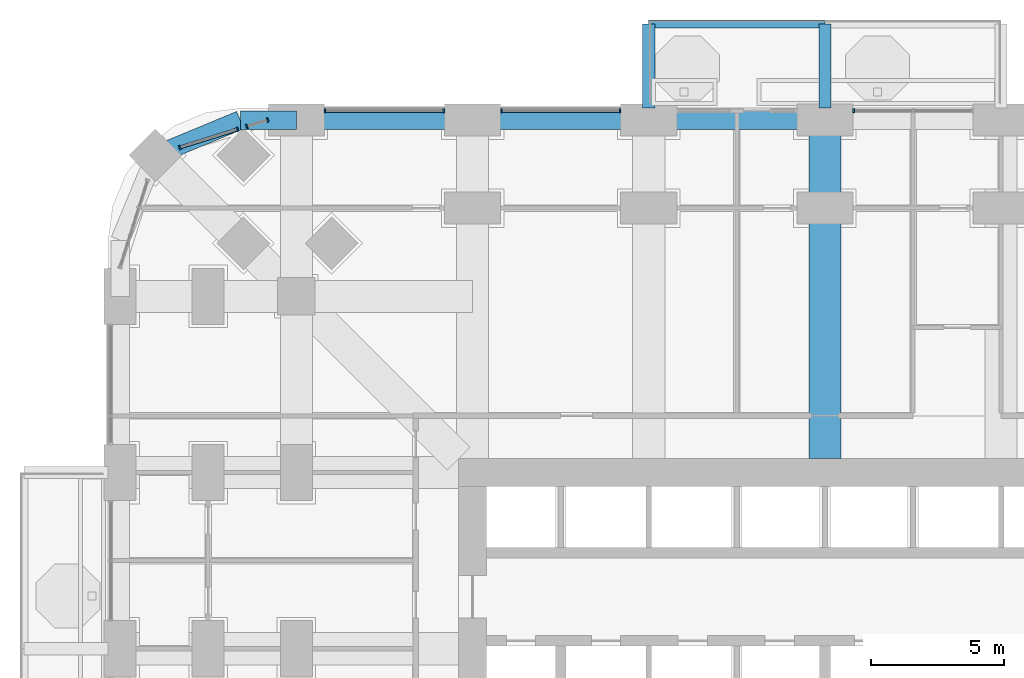
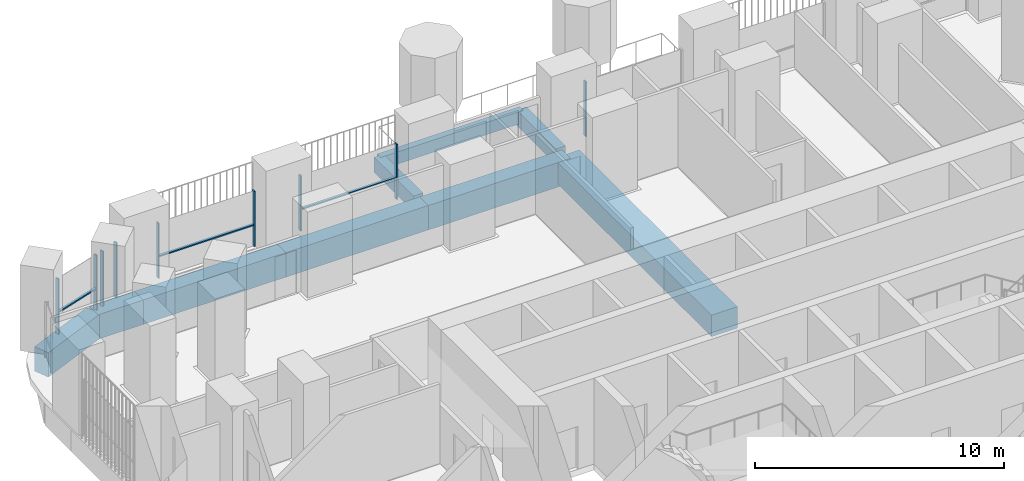
# One storey, part 7 of 26: 12 members, 9 beams, 5 elements without a shape of their own.
"""IFC4 building model written with IfcOpenShell, lengths in metres."""

from ifc_helpers import new_model, si_unit, direction, frame, origin, origin_2d, place, context, subcontext, project, spatial, rectangle, extrude, material, material_profile, profile_set, type_object, element, aggregate, save


model = new_model("IFC4")

# Units and contexts
model_context = context("Model", 3, precision=1e-05, world=origin(), true_north=direction((0.0, 1.0)))
body_context = subcontext(model_context, "Body", "Model", "MODEL_VIEW")
ifc_project = project(units=[si_unit("LENGTHUNIT", "METRE"), si_unit("AREAUNIT", "SQUARE_METRE"), si_unit("VOLUMEUNIT", "CUBIC_METRE"), si_unit("PLANEANGLEUNIT", "RADIAN"), si_unit("MASSUNIT", "GRAM", prefix="KILO")], contexts=[model_context])

# Site, building, storey
site_placement = place(None, origin())
site = spatial("IfcSite", under=ifc_project, at=site_placement, CompositionType="ELEMENT")
building_placement = place(site_placement, origin())
building = spatial("IfcBuilding", under=site, at=building_placement, Name="Cobogo Forest Laboratory Tower", CompositionType="ELEMENT")
storey_placement = place(building_placement, frame((0.0, 0.0, 33.89990234375)))
storey = spatial("IfcBuildingStorey", under=building, at=storey_placement, Name="L07", CompositionType="ELEMENT", Elevation=33.89990234375)

# Beams
ifc_material_1 = material(Name="Concrete HA-40 (C40/50)", Category="concrete")
ifc_material_profile_1 = material_profile(ifc_material_1, rectangle(XDim=0.449951171875, YDim=0.75, at=origin_2d()), Name="RC 450x750")
ifc_profile_set_1 = profile_set([ifc_material_profile_1], Name="Concrete HA-40 (C40/50)")
beam_type_1 = type_object("IfcBeamType", Name="Balcony cantilever beam 450x750", PredefinedType="BEAM", material=ifc_profile_set_1)
for number, where, z_axis, x_axis, name in (
    (1, (19.800048828125, 46.64990234375, -0.625), (0.0, 1.0, 0.0), (-1.0, 0.0, 0.0), "CB1 BAL-N1-C1 L07"),
    (2, (26.39990234375, 46.64990234375, -0.625), (0.0, 1.0, 0.0), (-1.0, 0.0, 0.0), "CB1 BAL-N1-C2 L07"),
):
    element("IfcBeam", number, at=place(storey_placement, frame(where, z_axis=z_axis, x_axis=x_axis)), inside=storey, type_object=beam_type_1, Name=name, PredefinedType="BEAM", context=body_context, shape_type="SweptSolid", body=[
        extrude(rectangle(XDim=0.449951171875, YDim=0.75, at=origin_2d()), origin(), (0.0, 0.0, 1.0), 3.150146484375),
    ])
ifc_material_profile_2 = material_profile(ifc_material_1, rectangle(XDim=0.300048828125, YDim=0.60009765625, at=origin_2d()), Name="RC 300x600")
ifc_profile_set_2 = profile_set([ifc_material_profile_2], Name="Concrete HA-40 (C40/50)")
beam_type_2 = type_object("IfcBeamType", Name="Balcony edge beam 300x600", PredefinedType="BEAM", material=ifc_profile_set_2)
beam_1_placement = place(storey_placement, frame((19.800048828125, 49.800048828125, -0.5498046875), z_axis=(1.0, 0.0, 0.0), x_axis=(0.0, 1.0, 0.0)))
element("IfcBeam", 3, at=beam_1_placement, inside=storey, type_object=beam_type_2, Name="BB1 BAL-N1-T1 L07", PredefinedType="BEAM", context=body_context, shape_type="SweptSolid", body=[
    extrude(rectangle(XDim=0.300048828125, YDim=0.60009765625, at=origin_2d()), origin(), (0.0, 0.0, 1.0), 6.599853515625),
])
ifc_material_profile_3 = material_profile(ifc_material_1, rectangle(XDim=1.199951171875, YDim=1.050048828125, at=origin_2d()), Name="RC 1200x1050")
ifc_profile_set_3 = profile_set([ifc_material_profile_3], Name="Concrete HA-40 (C40/50)")
beam_type_3 = type_object("IfcBeamType", Name="Laboratory floor wide beam 1200x1050", PredefinedType="BEAM", material=ifc_profile_set_3)
beam_2_placement = place(storey_placement, frame((26.39990234375, 33.52490234375, -0.824951171875), z_axis=(0.0, 1.0, 0.0), x_axis=(-1.0, 0.0, 0.0)))
element("IfcBeam", 4, at=beam_2_placement, inside=storey, type_object=beam_type_3, Name="RB1 R-5-N L07", PredefinedType="BEAM", context=body_context, shape_type="SweptSolid", body=[
    extrude(rectangle(XDim=1.199951171875, YDim=1.050048828125, at=origin_2d()), origin(), (0.0, 0.0, 1.0), 12.675048828125),
])

# Curtain wall, member
ifc_material_2 = material(Name="Aluminium curtain wall", Category="aluminium")
curtain_wall_type = type_object("IfcCurtainWallType", Name="CW-1 unitised curtain wall, clear glazing, laboratory floors zones A and B", PredefinedType="USERDEFINED", material=ifc_material_2)
curtain_wall_1_placement = place(storey_placement, origin())
curtain_wall_1 = element("IfcCurtainWall", 5, at=curtain_wall_1_placement, inside=storey, type_object=curtain_wall_type, Name="Curtain wall 20 L07", ObjectType="UNITISED CURTAIN WALL", PredefinedType="USERDEFINED")
ifc_material_3 = material(Name="Aluminium mullion", Category="aluminium")
ifc_material_profile_4 = material_profile(ifc_material_3, rectangle(XDim=0.06005859375, YDim=0.159912109375, at=origin_2d()), Name="AL 60x160")
ifc_profile_set_4 = profile_set([ifc_material_profile_4], Name="Aluminium mullion")
member_type_1 = type_object("IfcMemberType", Name="MU-1 aluminium mullion 60x160", PredefinedType="MULLION", material=ifc_profile_set_4)
member_1_placement = place(storey_placement, frame((27.47998046875, 46.550048828125, 0.0), z_axis=(0.0, 0.0, 1.0), x_axis=(-1.0, 0.0, 0.0)))
member_1 = element("IfcMember", 6, at=member_1_placement, type_object=member_type_1, Name="CW-1 mullion 3", PredefinedType="MULLION", context=body_context, shape_type="SweptSolid", body=[
    extrude(rectangle(XDim=0.06005859375, YDim=0.159912109375, at=origin_2d()), origin(), (0.0, 0.0, 1.0), 2.7001953125),
])
aggregate(curtain_wall_1, [member_1])

# Curtain wall, members
curtain_wall_2_placement = place(storey_placement, origin())
curtain_wall_2 = element("IfcCurtainWall", 7, at=curtain_wall_2_placement, inside=storey, type_object=curtain_wall_type, Name="Curtain wall 22 L07", ObjectType="UNITISED CURTAIN WALL", PredefinedType="USERDEFINED")
member_2_placement = place(storey_placement, frame((18.719970703125, 46.550048828125, 0.0), z_axis=(0.0, 0.0, 1.0), x_axis=(-1.0, 0.0, 0.0)))
member_2 = element("IfcMember", 8, at=member_2_placement, type_object=member_type_1, Name="CW-1 mullion 1", PredefinedType="MULLION", context=body_context, shape_type="SweptSolid", body=[
    extrude(rectangle(XDim=0.06005859375, YDim=0.159912109375, at=origin_2d()), origin(), (0.0, 0.0, 1.0), 2.7001953125),
])
member_3_placement = place(storey_placement, frame((14.280029296875, 46.550048828125, 0.0), z_axis=(0.0, 0.0, 1.0), x_axis=(-1.0, 0.0, 0.0)))
member_3 = element("IfcMember", 9, at=member_3_placement, type_object=member_type_1, Name="CW-1 mullion 2", PredefinedType="MULLION", context=body_context, shape_type="SweptSolid", body=[
    extrude(rectangle(XDim=0.06005859375, YDim=0.159912109375, at=origin_2d()), origin(), (0.0, 0.0, 1.0), 2.7001953125),
])

curtain_wall_3_placement = place(storey_placement, origin())
curtain_wall_3 = element("IfcCurtainWall", 10, at=curtain_wall_3_placement, inside=storey, type_object=curtain_wall_type, Name="Curtain wall 23 L07", ObjectType="UNITISED CURTAIN WALL", PredefinedType="USERDEFINED")
member_4_placement = place(storey_placement, frame((12.1201171875, 46.550048828125, 0.0), z_axis=(0.0, 0.0, 1.0), x_axis=(-1.0, 0.0, 0.0)))
member_4 = element("IfcMember", 11, at=member_4_placement, type_object=member_type_1, Name="CW-1 mullion 1", PredefinedType="MULLION", context=body_context, shape_type="SweptSolid", body=[
    extrude(rectangle(XDim=0.06005859375, YDim=0.159912109375, at=origin_2d()), origin(), (0.0, 0.0, 1.0), 2.7001953125),
])
member_5_placement = place(storey_placement, frame((7.679931640625, 46.550048828125, 0.0), z_axis=(0.0, 0.0, 1.0), x_axis=(-1.0, 0.0, 0.0)))
member_5 = element("IfcMember", 12, at=member_5_placement, type_object=member_type_1, Name="CW-1 mullion 2", PredefinedType="MULLION", context=body_context, shape_type="SweptSolid", body=[
    extrude(rectangle(XDim=0.06005859375, YDim=0.159912109375, at=origin_2d()), origin(), (0.0, 0.0, 1.0), 2.7001953125),
])

curtain_wall_4_placement = place(storey_placement, origin())
curtain_wall_4 = element("IfcCurtainWall", 13, at=curtain_wall_4_placement, inside=storey, type_object=curtain_wall_type, Name="Curtain wall 24 L07", ObjectType="UNITISED CURTAIN WALL", PredefinedType="USERDEFINED")
member_6_placement = place(storey_placement, frame((5.521484375, 46.20947265625, 0.0), z_axis=(0.0, 0.0, 1.0), x_axis=(-0.953581504428, -0.301135043481, 0.0)))
member_6 = element("IfcMember", 14, at=member_6_placement, type_object=member_type_1, Name="CW-1 mullion 1", PredefinedType="MULLION", context=body_context, shape_type="SweptSolid", body=[
    extrude(rectangle(XDim=0.06005859375, YDim=0.159912109375, at=origin_2d()), origin(), (0.0, 0.0, 1.0), 2.7001953125),
])
member_7_placement = place(storey_placement, frame((4.74658203125, 45.96484375, 0.0), z_axis=(0.0, 0.0, 1.0), x_axis=(-0.953581504428, -0.301135043481, 0.0)))
member_7 = element("IfcMember", 15, at=member_7_placement, type_object=member_type_1, Name="CW-1 mullion 2", PredefinedType="MULLION", context=body_context, shape_type="SweptSolid", body=[
    extrude(rectangle(XDim=0.06005859375, YDim=0.159912109375, at=origin_2d()), origin(), (0.0, 0.0, 1.0), 2.7001953125),
])
aggregate(curtain_wall_4, [member_6, member_7])

curtain_wall_5_placement = place(storey_placement, origin())
curtain_wall_5 = element("IfcCurtainWall", 16, at=curtain_wall_5_placement, inside=storey, type_object=curtain_wall_type, Name="Curtain wall 25 L07", ObjectType="UNITISED CURTAIN WALL", PredefinedType="USERDEFINED")
member_8_placement = place(storey_placement, frame((4.39697265625, 45.854248046875, 0.0), z_axis=(0.0, 0.0, 1.0), x_axis=(-0.953581409645, -0.301135343623, 0.0)))
member_8 = element("IfcMember", 17, at=member_8_placement, type_object=member_type_1, Name="CW-1 mullion 1", PredefinedType="MULLION", context=body_context, shape_type="SweptSolid", body=[
    extrude(rectangle(XDim=0.06005859375, YDim=0.159912109375, at=origin_2d()), origin(), (0.0, 0.0, 1.0), 2.7001953125),
])
member_9_placement = place(storey_placement, frame((2.23876953125, 45.1728515625, 0.0), z_axis=(0.0, 0.0, 1.0), x_axis=(-0.953581409645, -0.301135343623, 0.0)))
member_9 = element("IfcMember", 18, at=member_9_placement, type_object=member_type_1, Name="CW-1 mullion 2", PredefinedType="MULLION", context=body_context, shape_type="SweptSolid", body=[
    extrude(rectangle(XDim=0.06005859375, YDim=0.159912109375, at=origin_2d()), origin(), (0.0, 0.0, 1.0), 2.7001953125),
])

# Beams
ifc_material_profile_5 = material_profile(ifc_material_1, rectangle(XDim=0.699951171875, YDim=1.199951171875, at=origin_2d()), Name="RC 700x1200")
ifc_profile_set_5 = profile_set([ifc_material_profile_5], Name="Concrete HA-40 (C40/50)")
beam_type_4 = type_object("IfcBeamType", Name="Perimeter edge beam 700x1200", PredefinedType="BEAM", material=ifc_profile_set_5)
beam_3_placement = place(storey_placement, frame((6.60009765625, 46.199951171875, -0.89990234375), z_axis=(1.0, 0.0, 0.0), x_axis=(0.0, 1.0, 0.0)))
element("IfcBeam", 19, at=beam_3_placement, inside=storey, type_object=beam_type_4, Name="EB1 E-N1 L07", PredefinedType="BEAM", context=body_context, shape_type="SweptSolid", body=[
    extrude(rectangle(XDim=0.699951171875, YDim=1.199951171875, at=origin_2d()), origin(), (0.0, 0.0, 1.0), 6.599853515625),
])
beam_4_placement = place(storey_placement, frame((13.199951171875, 46.199951171875, -0.89990234375), z_axis=(1.0, 0.0, 0.0), x_axis=(0.0, 1.0, 0.0)))
element("IfcBeam", 20, at=beam_4_placement, inside=storey, type_object=beam_type_4, Name="EB1 E-N2 L07", PredefinedType="BEAM", context=body_context, shape_type="SweptSolid", body=[
    extrude(rectangle(XDim=0.699951171875, YDim=1.199951171875, at=origin_2d()), origin(), (0.0, 0.0, 1.0), 6.60009765625),
])
beam_5_placement = place(storey_placement, frame((19.800048828125, 46.199951171875, -0.89990234375), z_axis=(1.0, 0.0, 0.0), x_axis=(0.0, 1.0, 0.0)))
element("IfcBeam", 21, at=beam_5_placement, inside=storey, type_object=beam_type_4, Name="EB1 E-N3 L07", PredefinedType="BEAM", context=body_context, shape_type="SweptSolid", body=[
    extrude(rectangle(XDim=0.699951171875, YDim=1.199951171875, at=origin_2d()), origin(), (0.0, 0.0, 1.0), 6.599853515625),
])
beam_6_placement = place(storey_placement, frame((6.60009765625, 46.199951171875, -0.89990234375), z_axis=(-1.0, 0.0, 0.0), x_axis=(0.0, -1.0, 0.0)))
element("IfcBeam", 22, at=beam_6_placement, inside=storey, type_object=beam_type_4, Name="EB1 E-NWN1 L07", PredefinedType="BEAM", context=body_context, shape_type="SweptSolid", body=[
    extrude(rectangle(XDim=0.699951171875, YDim=1.199951171875, at=origin_2d()), origin(), (0.0, 0.0, 1.0), 2.10009765625),
])
beam_7_placement = place(storey_placement, frame((4.5, 46.199951171875, -0.89990234375), z_axis=(-0.923890694089, -0.382656484822, 0.0), x_axis=(0.382656484822, -0.923890694089, 0.0)))
element("IfcBeam", 23, at=beam_7_placement, inside=storey, type_object=beam_type_4, Name="EB1 E-NWN2 L07", PredefinedType="BEAM", context=body_context, shape_type="SweptSolid", body=[
    extrude(rectangle(XDim=0.699951171875, YDim=1.199951171875, at=origin_2d()), origin(), (0.0, 0.0, 1.0), 3.444091796875),
])

# Member
ifc_material_4 = material(Name="Aluminium transom", Category="aluminium")
ifc_material_profile_6 = material_profile(ifc_material_4, rectangle(XDim=0.1201171875, YDim=0.06005859375, at=origin_2d()), Name="AL 60x120")
ifc_profile_set_6 = profile_set([ifc_material_profile_6], Name="Aluminium transom")
member_type_2 = type_object("IfcMemberType", Name="TR-1 aluminium transom 60x120", PredefinedType="USERDEFINED", material=ifc_profile_set_6)
member_10_placement = place(storey_placement, frame((18.68994140625, 46.550048828125, 1.050048828125), z_axis=(-1.0, 0.0, 0.0), x_axis=(0.0, -1.0, 0.0)))
member_10 = element("IfcMember", 24, at=member_10_placement, type_object=member_type_2, Name="CW-1 transom 1.1", ObjectType="TRANSOM", PredefinedType="USERDEFINED", context=body_context, shape_type="SweptSolid", body=[
    extrude(rectangle(XDim=0.1201171875, YDim=0.06005859375, at=origin_2d()), origin(), (0.0, 0.0, 1.0), 4.3798828125),
])

aggregate(curtain_wall_2, [member_2, member_3, member_10])

member_11_placement = place(storey_placement, frame((12.090087890625, 46.550048828125, 1.050048828125), z_axis=(-1.0, 0.0, 0.0), x_axis=(0.0, -1.0, 0.0)))
member_11 = element("IfcMember", 25, at=member_11_placement, type_object=member_type_2, Name="CW-1 transom 1.1", ObjectType="TRANSOM", PredefinedType="USERDEFINED", context=body_context, shape_type="SweptSolid", body=[
    extrude(rectangle(XDim=0.1201171875, YDim=0.06005859375, at=origin_2d()), origin(), (0.0, 0.0, 1.0), 4.380126953125),
])

aggregate(curtain_wall_3, [member_4, member_5, member_11])

member_12_placement = place(storey_placement, frame((4.368408203125, 45.84521484375, 1.050048828125), z_axis=(-0.953604433273, -0.301062426819, 0.0), x_axis=(0.301062426819, -0.953604433273, 0.0)))
member_12 = element("IfcMember", 26, at=member_12_placement, type_object=member_type_2, Name="CW-1 transom 1.1", ObjectType="TRANSOM", PredefinedType="USERDEFINED", context=body_context, shape_type="SweptSolid", body=[
    extrude(rectangle(XDim=0.1201171875, YDim=0.06005859375, at=origin_2d()), origin(), (0.0, 0.0, 1.0), 2.203369140625),
])

aggregate(curtain_wall_5, [member_8, member_9, member_12])

save(model, "model.ifc")
